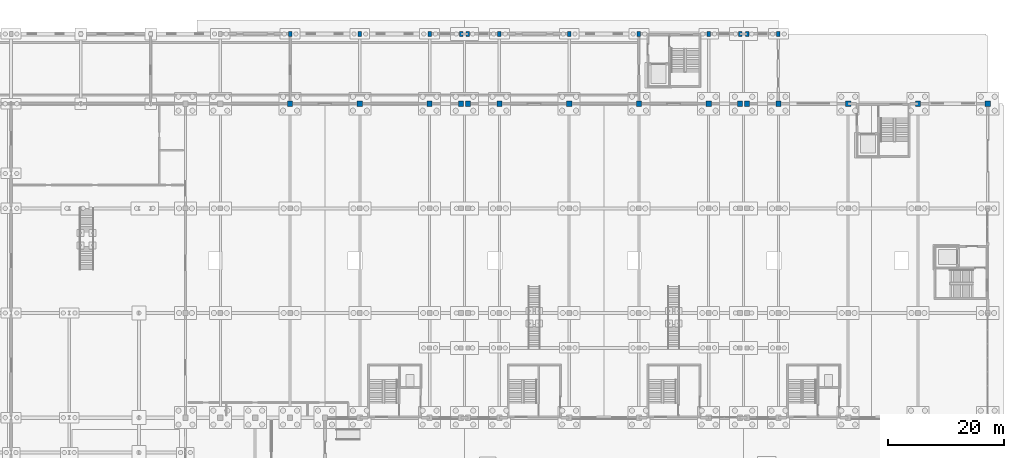
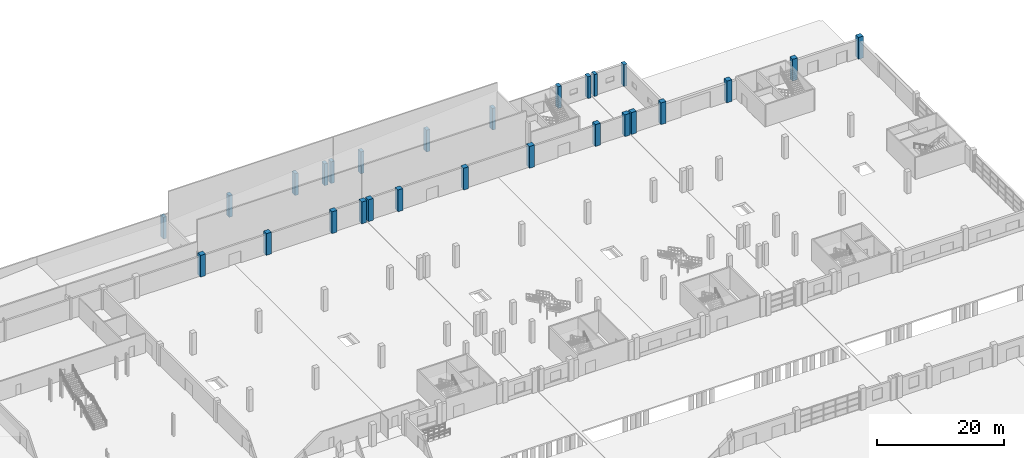
# One storey, part 34 of 77: 27 columns.
"""IFC4 building model written with IfcOpenShell, lengths in metres."""

from ifc_helpers import new_model, si_unit, direction, frame, origin, origin_2d, place, context, subcontext, project, spatial, rectangle, extrude, material, material_profile, profile_set, type_object, element, save


model = new_model("IFC4")

# Units and contexts
model_context = context("Model", 3, precision=1e-05, world=origin(), true_north=direction((0.0, 1.0)))
body_context = subcontext(model_context, "Body", "Model", "MODEL_VIEW")
ifc_project = project(units=[si_unit("LENGTHUNIT", "METRE"), si_unit("AREAUNIT", "SQUARE_METRE"), si_unit("VOLUMEUNIT", "CUBIC_METRE"), si_unit("PLANEANGLEUNIT", "RADIAN"), si_unit("MASSUNIT", "GRAM", prefix="KILO")], contexts=[model_context])

# Site, building, storey
site_placement = place(None, origin())
site = spatial("IfcSite", under=ifc_project, at=site_placement, CompositionType="ELEMENT")
building_placement = place(site_placement, origin())
building = spatial("IfcBuilding", under=site, at=building_placement, Name="Zilviju Railside Exhibition Hall", CompositionType="ELEMENT")
storey_placement = place(building_placement, origin())
storey = spatial("IfcBuildingStorey", under=building, at=storey_placement, Name="L01", CompositionType="ELEMENT", Elevation=0.0)

# Columns
ifc_material = material(Name="Concrete C40/50", Category="concrete")
ifc_material_profile_1 = material_profile(ifc_material, rectangle(XDim=0.89990234375, YDim=0.89990234375, at=origin_2d()), Name="RC COL 900x900")
ifc_profile_set_1 = profile_set([ifc_material_profile_1], Name="Concrete C40/50")
column_type_1 = type_object("IfcColumnType", Name="COL-RC-900", PredefinedType="COLUMN", material=ifc_profile_set_1)
for number, where, z_axis, x_axis, name in (
    (1, (96.0, 138.0, 0.0), (0.0, 0.0, 1.0), (1.0, 0.0, 0.0), "Structural Column L01 (96.0, 138.0)"),
    (2, (108.0, 138.0, 0.0), (0.0, 0.0, 1.0), (1.0, 0.0, 0.0), "Structural Column L01 (108.0, 138.0)"),
    (3, (120.0, 138.0, 0.0), (0.0, 0.0, 1.0), (1.0, 0.0, 0.0), "Structural Column L01 (120.0, 138.0)"),
    (4, (125.39990234375, 138.0, 0.0), (0.0, 0.0, 1.0), (1.0, 0.0, 0.0), "Structural Column L01 (125.4, 138.0)"),
    (5, (126.60009765625, 138.0, 0.0), (0.0, 0.0, 1.0), (1.0, 0.0, 0.0), "Structural Column L01 (126.6, 138.0)"),
    (6, (132.0, 138.0, 0.0), (0.0, 0.0, 1.0), (1.0, 0.0, 0.0), "Structural Column L01 (132.0, 138.0)"),
    (7, (144.0, 138.0, 0.0), (0.0, 0.0, 1.0), (1.0, 0.0, 0.0), "Structural Column L01 (144.0, 138.0)"),
    (8, (156.0, 138.0, 0.0), (0.0, 0.0, 1.0), (1.0, 0.0, 0.0), "Structural Column L01 (156.0, 138.0)"),
    (9, (168.0, 138.0, 0.0), (0.0, 0.0, 1.0), (1.0, 0.0, 0.0), "Structural Column L01 (168.0, 138.0)"),
    (10, (173.39990234375, 138.0, 0.0), (0.0, 0.0, 1.0), (1.0, 0.0, 0.0), "Structural Column L01 (173.4, 138.0)"),
    (11, (174.60009765625, 138.0, 0.0), (0.0, 0.0, 1.0), (1.0, 0.0, 0.0), "Structural Column L01 (174.6, 138.0)"),
    (12, (180.0, 138.0, 0.0), (0.0, 0.0, 1.0), (1.0, 0.0, 0.0), "Structural Column L01 (180.0, 138.0)"),
    (13, (192.0, 138.0, 0.0), (0.0, 0.0, 1.0), (1.0, 0.0, 0.0), "Structural Column L01 (192.0, 138.0)"),
    (14, (204.0, 138.0, 0.0), (0.0, 0.0, 1.0), (1.0, 0.0, 0.0), "Structural Column L01 (204.0, 138.0)"),
    (15, (216.0, 138.0, 0.0), (0.0, 0.0, 1.0), (1.0, 0.0, 0.0), "Structural Column L01 (216.0, 138.0)"),
):
    element("IfcColumn", number, at=place(storey_placement, frame(where, z_axis=z_axis, x_axis=x_axis)), inside=storey, type_object=column_type_1, Name=name, PredefinedType="COLUMN", context=body_context, shape_type="SweptSolid", body=[
        extrude(rectangle(XDim=0.89990234375, YDim=0.89990234375, at=origin_2d()), origin(), (0.0, 0.0, 1.0), 4.199951171875),
    ])
ifc_material_profile_2 = material_profile(ifc_material, rectangle(XDim=0.60009765625, YDim=0.89990234375, at=origin_2d()), Name="RC COL 600x900")
ifc_profile_set_2 = profile_set([ifc_material_profile_2], Name="Concrete C40/50")
column_type_2 = type_object("IfcColumnType", Name="COL-RC-900x600", PredefinedType="COLUMN", material=ifc_profile_set_2)
for number, where, z_axis, x_axis, name in (
    (16, (96.0, 150.0, 0.0), (0.0, 0.0, 1.0), (1.0, 0.0, 0.0), "Structural Column L01 (96.0, 150.0)"),
    (17, (108.0, 150.0, 0.0), (0.0, 0.0, 1.0), (1.0, 0.0, 0.0), "Structural Column L01 (108.0, 150.0)"),
    (18, (120.0, 150.0, 0.0), (0.0, 0.0, 1.0), (1.0, 0.0, 0.0), "Structural Column L01 (120.0, 150.0)"),
    (19, (125.39990234375, 150.0, 0.0), (0.0, 0.0, 1.0), (1.0, 0.0, 0.0), "Structural Column L01 (125.4, 150.0)"),
    (20, (126.60009765625, 150.0, 0.0), (0.0, 0.0, 1.0), (1.0, 0.0, 0.0), "Structural Column L01 (126.6, 150.0)"),
    (21, (132.0, 150.0, 0.0), (0.0, 0.0, 1.0), (1.0, 0.0, 0.0), "Structural Column L01 (132.0, 150.0)"),
    (22, (144.0, 150.0, 0.0), (0.0, 0.0, 1.0), (1.0, 0.0, 0.0), "Structural Column L01 (144.0, 150.0)"),
    (23, (156.0, 150.0, 0.0), (0.0, 0.0, 1.0), (1.0, 0.0, 0.0), "Structural Column L01 (156.0, 150.0)"),
    (24, (168.0, 150.0, 0.0), (0.0, 0.0, 1.0), (1.0, 0.0, 0.0), "Structural Column L01 (168.0, 150.0)"),
    (25, (173.39990234375, 150.0, 0.0), (0.0, 0.0, 1.0), (1.0, 0.0, 0.0), "Structural Column L01 (173.4, 150.0)"),
    (26, (174.60009765625, 150.0, 0.0), (0.0, 0.0, 1.0), (1.0, 0.0, 0.0), "Structural Column L01 (174.6, 150.0)"),
    (27, (180.0, 150.0, 0.0), (0.0, 0.0, 1.0), (1.0, 0.0, 0.0), "Structural Column L01 (180.0, 150.0)"),
):
    element("IfcColumn", number, at=place(storey_placement, frame(where, z_axis=z_axis, x_axis=x_axis)), inside=storey, type_object=column_type_2, Name=name, PredefinedType="COLUMN", context=body_context, shape_type="SweptSolid", body=[
        extrude(rectangle(XDim=0.60009765625, YDim=0.89990234375, at=origin_2d()), origin(), (0.0, 0.0, 1.0), 4.199951171875),
    ])

save(model, "model.ifc")
